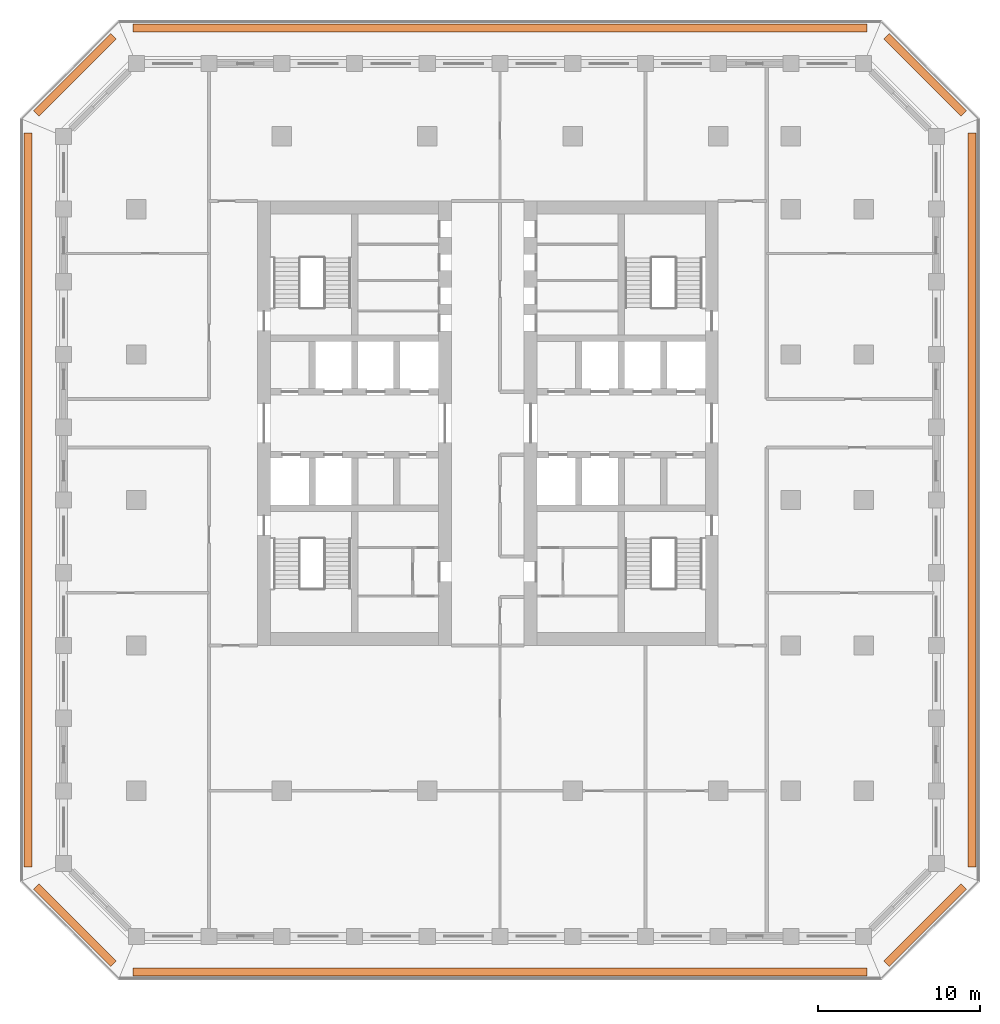
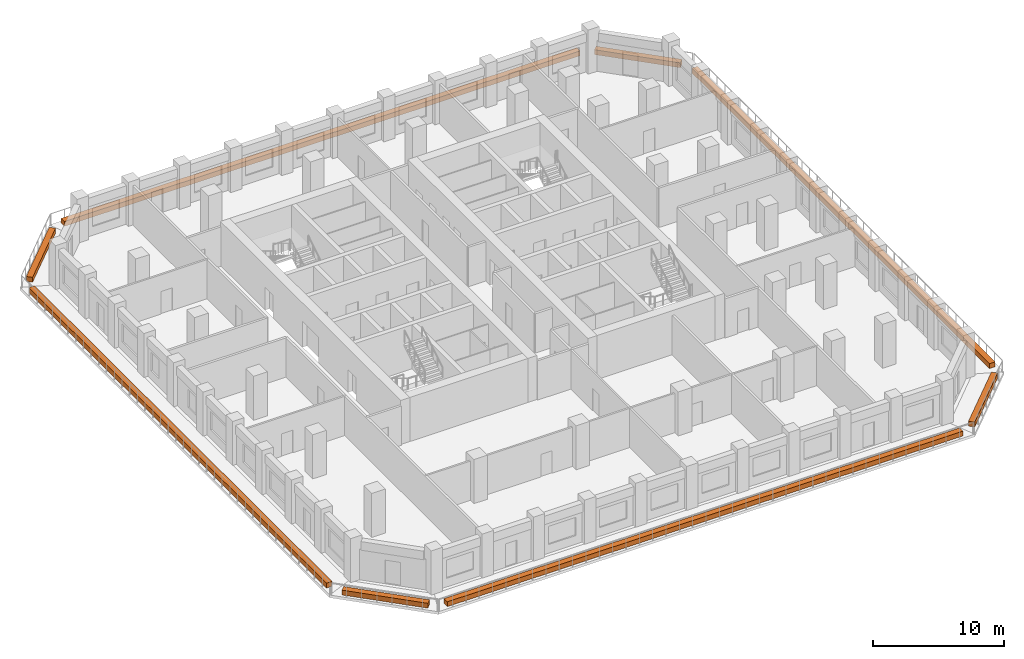
# One storey, part 16 of 16: 8 proxies.
"""IFC4 building model written with IfcOpenShell, lengths in metres."""

from ifc_helpers import new_model, si_unit, direction, frame, origin, origin_2d, place, context, subcontext, project, spatial, rectangle, extrude, material, type_object, element, save


model = new_model("IFC4")

# Units and contexts
model_context = context("Model", 3, precision=1e-05, world=origin(), true_north=direction((0.0, 1.0)))
body_context = subcontext(model_context, "Body", "Model", "MODEL_VIEW")
ifc_project = project(units=[si_unit("LENGTHUNIT", "METRE"), si_unit("AREAUNIT", "SQUARE_METRE"), si_unit("VOLUMEUNIT", "CUBIC_METRE"), si_unit("PLANEANGLEUNIT", "RADIAN"), si_unit("MASSUNIT", "GRAM", prefix="KILO")], contexts=[model_context])

# Site, building, storey
site_placement = place(None, origin())
site = spatial("IfcSite", under=ifc_project, at=site_placement, CompositionType="ELEMENT")
building_placement = place(site_placement, origin())
building = spatial("IfcBuilding", under=site, at=building_placement, Name="Corbel Stack Research Tower", CompositionType="ELEMENT")
storey_placement = place(building_placement, frame((0.0, 0.0, 195.60009765625)))
storey = spatial("IfcBuildingStorey", under=building, at=storey_placement, Name="L44", CompositionType="ELEMENT", Elevation=195.60009765625)

# Proxies
ifc_material = material(Name="Concrete C45/55", Category="concrete")
building_element_proxy_type = type_object("IfcBuildingElementProxyType", Name="Planter box", PredefinedType="USERDEFINED", material=ifc_material)
proxy_1_placement = place(storey_placement, frame((4.5, -29.199951171875, 0.0), z_axis=(0.0, 0.0, 1.0), x_axis=(1.0, 0.0, 0.0)))
element("IfcBuildingElementProxy", 1, at=proxy_1_placement, inside=storey, type_object=building_element_proxy_type, Name="Planter L44 S", ObjectType="PLANTER", PredefinedType="USERDEFINED", context=body_context, shape_type="SweptSolid", body=[
    extrude(rectangle(XDim=45.41064453125, YDim=0.5, at=origin_2d()), origin(), (0.0, 0.0, 1.0), 0.449951171875),
])
proxy_2_placement = place(storey_placement, frame((30.8056640625, -26.3056640625, 0.0), z_axis=(0.0, 0.0, 1.0), x_axis=(0.707106781187, 0.707106781187, 0.0)))
element("IfcBuildingElementProxy", 2, at=proxy_2_placement, inside=storey, type_object=building_element_proxy_type, Name="Planter L44 SE", ObjectType="PLANTER", PredefinedType="USERDEFINED", context=body_context, shape_type="SweptSolid", body=[
    extrude(rectangle(XDim=6.774658203125, YDim=0.5, at=origin_2d()), origin(), (0.0, 0.0, 1.0), 0.449951171875),
])
proxy_3_placement = place(storey_placement, frame((33.699951171875, 0.0, 0.0), z_axis=(0.0, 0.0, 1.0), x_axis=(0.0, 1.0, 0.0)))
element("IfcBuildingElementProxy", 3, at=proxy_3_placement, inside=storey, type_object=building_element_proxy_type, Name="Planter L44 E", ObjectType="PLANTER", PredefinedType="USERDEFINED", context=body_context, shape_type="SweptSolid", body=[
    extrude(rectangle(XDim=45.41064453125, YDim=0.5, at=origin_2d()), origin(), (0.0, 0.0, 1.0), 0.449951171875),
])
proxy_4_placement = place(storey_placement, frame((30.8056640625, 26.3056640625, 0.0), z_axis=(0.0, 0.0, 1.0), x_axis=(-0.707106781187, 0.707106781187, 0.0)))
element("IfcBuildingElementProxy", 4, at=proxy_4_placement, inside=storey, type_object=building_element_proxy_type, Name="Planter L44 NE", ObjectType="PLANTER", PredefinedType="USERDEFINED", context=body_context, shape_type="SweptSolid", body=[
    extrude(rectangle(XDim=6.774658203125, YDim=0.5, at=origin_2d()), origin(), (0.0, 0.0, 1.0), 0.449951171875),
])
proxy_5_placement = place(storey_placement, frame((4.5, 29.199951171875, 0.0), z_axis=(0.0, 0.0, 1.0), x_axis=(-1.0, 0.0, 0.0)))
element("IfcBuildingElementProxy", 5, at=proxy_5_placement, inside=storey, type_object=building_element_proxy_type, Name="Planter L44 N", ObjectType="PLANTER", PredefinedType="USERDEFINED", context=body_context, shape_type="SweptSolid", body=[
    extrude(rectangle(XDim=45.41064453125, YDim=0.5, at=origin_2d()), origin(), (0.0, 0.0, 1.0), 0.449951171875),
])
proxy_6_placement = place(storey_placement, frame((-21.8056640625, 26.3056640625, 0.0), z_axis=(0.0, 0.0, 1.0), x_axis=(-0.707106781187, -0.707106781187, 0.0)))
element("IfcBuildingElementProxy", 6, at=proxy_6_placement, inside=storey, type_object=building_element_proxy_type, Name="Planter L44 NW", ObjectType="PLANTER", PredefinedType="USERDEFINED", context=body_context, shape_type="SweptSolid", body=[
    extrude(rectangle(XDim=6.774658203125, YDim=0.5, at=origin_2d()), origin(), (0.0, 0.0, 1.0), 0.449951171875),
])
proxy_7_placement = place(storey_placement, frame((-24.699951171875, 0.0, 0.0), z_axis=(0.0, 0.0, 1.0), x_axis=(0.0, -1.0, 0.0)))
element("IfcBuildingElementProxy", 7, at=proxy_7_placement, inside=storey, type_object=building_element_proxy_type, Name="Planter L44 W", ObjectType="PLANTER", PredefinedType="USERDEFINED", context=body_context, shape_type="SweptSolid", body=[
    extrude(rectangle(XDim=45.41064453125, YDim=0.5, at=origin_2d()), origin(), (0.0, 0.0, 1.0), 0.449951171875),
])
proxy_8_placement = place(storey_placement, frame((-21.8056640625, -26.3056640625, 0.0), z_axis=(0.0, 0.0, 1.0), x_axis=(0.707106781187, -0.707106781187, 0.0)))
element("IfcBuildingElementProxy", 8, at=proxy_8_placement, inside=storey, type_object=building_element_proxy_type, Name="Planter L44 SW", ObjectType="PLANTER", PredefinedType="USERDEFINED", context=body_context, shape_type="SweptSolid", body=[
    extrude(rectangle(XDim=6.774658203125, YDim=0.5, at=origin_2d()), origin(), (0.0, 0.0, 1.0), 0.449951171875),
])

save(model, "model.ifc")
